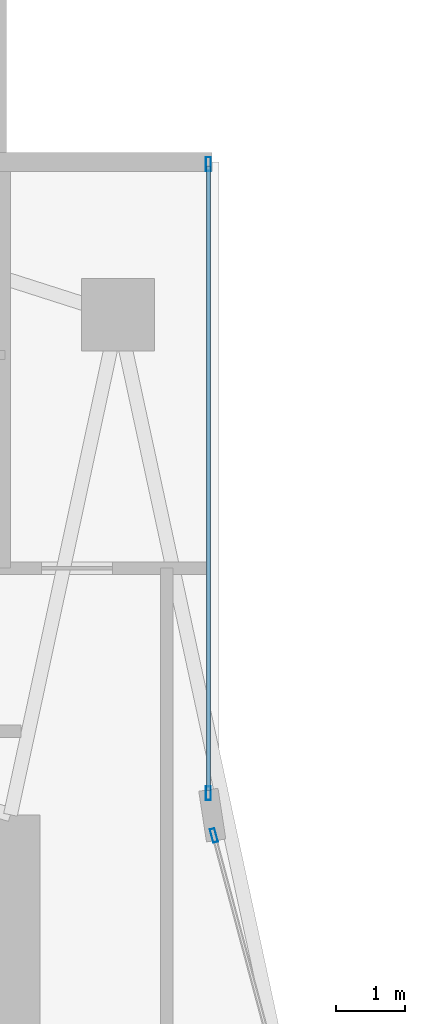
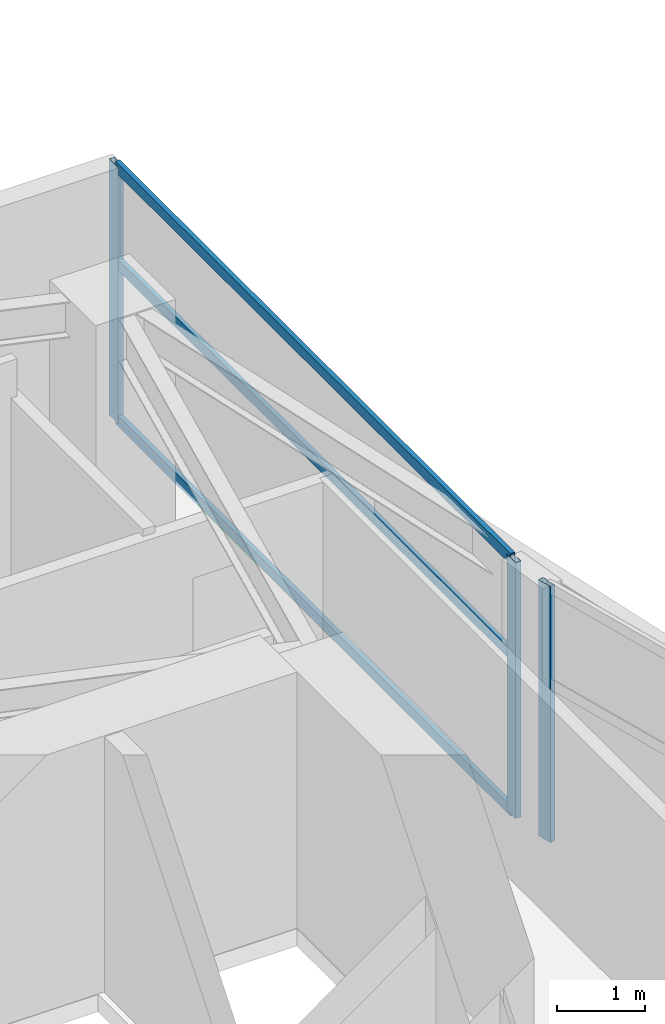
# One storey, part 18 of 29: 6 members, 2 elements without a shape of their own.
"""IFC4 building model written with IfcOpenShell, lengths in metres."""

from ifc_helpers import new_model, si_unit, direction, frame, origin, origin_2d, place, context, subcontext, project, spatial, hollow_rectangle, extrude, material, layer, layer_set, material_profile, profile_set, type_object, element, aggregate, save


model = new_model("IFC4")

# Units and contexts
model_context = context("Model", 3, precision=1e-05, world=origin(), true_north=direction((0.0, 1.0)))
body_context = subcontext(model_context, "Body", "Model", "MODEL_VIEW")
ifc_project = project(units=[si_unit("LENGTHUNIT", "METRE"), si_unit("AREAUNIT", "SQUARE_METRE"), si_unit("VOLUMEUNIT", "CUBIC_METRE"), si_unit("PLANEANGLEUNIT", "RADIAN"), si_unit("MASSUNIT", "GRAM", prefix="KILO")], contexts=[model_context])

# Site, building, storey
site_placement = place(None, origin())
site = spatial("IfcSite", under=ifc_project, at=site_placement, CompositionType="ELEMENT")
building_placement = place(site_placement, origin())
building = spatial("IfcBuilding", under=site, at=building_placement, Name="Calvorn Quay Hotel", CompositionType="ELEMENT")
storey_placement = place(building_placement, frame((0.0, 0.0, 167.5)))
storey = spatial("IfcBuildingStorey", under=building, at=storey_placement, Name="L41", CompositionType="ELEMENT", Elevation=167.5)

# Curtain wall, member
ifc_material_1 = material(Name="Pale Anodised Aluminium and Low-E Glass", Category="aluminium")
ifc_layer = layer(ifc_material_1, 0.219970703125)
ifc_layer_set = layer_set([ifc_layer], Name="CW-SYS-Z2")
curtain_wall_type = type_object("IfcCurtainWallType", Name="CW-SYS-Z2", PredefinedType="NOTDEFINED", material=ifc_layer_set)
curtain_wall_1_placement = place(storey_placement, origin())
curtain_wall_1 = element("IfcCurtainWall", 1, at=curtain_wall_1_placement, inside=storey, type_object=curtain_wall_type, Name="Inner Court Curtain Wall L41-IC1", PredefinedType="NOTDEFINED")
ifc_material_2 = material(Name="Pale Anodised Aluminium 6063-T6", Category="aluminium")
ifc_material_profile_1 = material_profile(ifc_material_2, hollow_rectangle(XDim=0.070068359375, YDim=0.199951171875, WallThickness=0.00390625, at=origin_2d()), Name="ALU-M200x70x4")
ifc_profile_set_1 = profile_set([ifc_material_profile_1], Name="Pale Anodised Aluminium 6063-T6")
member_type_1 = type_object("IfcMemberType", Name="CW-SYS-Z2-MUL", PredefinedType="MULLION", material=ifc_profile_set_1)
member_1_placement = place(storey_placement, frame((17.9296875, 38.10107421875, 0.0), z_axis=(0.0, 0.0, 1.0), x_axis=(-0.96593652056, -0.25877913024, 0.0)))
member_1 = element("IfcMember", 2, at=member_1_placement, type_object=member_type_1, Name="CW-L41-IC1 mullion 2", PredefinedType="MULLION", context=body_context, shape_type="SweptSolid", body=[
    extrude(hollow_rectangle(XDim=0.070068359375, YDim=0.199951171875, WallThickness=0.00390625, at=origin_2d()), origin(), (0.0, 0.0, 1.0), 3.56005859375),
])
aggregate(curtain_wall_1, [member_1])

# Curtain wall, members
curtain_wall_2_placement = place(storey_placement, origin())
curtain_wall_2 = element("IfcCurtainWall", 3, at=curtain_wall_2_placement, inside=storey, type_object=curtain_wall_type, Name="Inner Court Curtain Wall L41-IC2", PredefinedType="NOTDEFINED")
member_2_placement = place(storey_placement, frame((17.85009765625, 38.7099609375, 0.0), z_axis=(0.0, 0.0, 1.0), x_axis=(-1.0, 0.0, 0.0)))
member_2 = element("IfcMember", 4, at=member_2_placement, type_object=member_type_1, Name="CW-L41-IC2 mullion 1", PredefinedType="MULLION", context=body_context, shape_type="SweptSolid", body=[
    extrude(hollow_rectangle(XDim=0.070068359375, YDim=0.199951171875, WallThickness=0.00390625, at=origin_2d()), origin(), (0.0, 0.0, 1.0), 3.56005859375),
])
member_3_placement = place(storey_placement, frame((17.85009765625, 47.77001953125, 0.0), z_axis=(0.0, 0.0, 1.0), x_axis=(-1.0, 0.0, 0.0)))
member_3 = element("IfcMember", 5, at=member_3_placement, type_object=member_type_1, Name="CW-L41-IC2 mullion 2", PredefinedType="MULLION", context=body_context, shape_type="SweptSolid", body=[
    extrude(hollow_rectangle(XDim=0.070068359375, YDim=0.199951171875, WallThickness=0.00390625, at=origin_2d()), origin(), (0.0, 0.0, 1.0), 3.56005859375),
])
ifc_material_3 = material(Name="Pale Anodised Aluminium 6063-T6", Category="aluminium")
ifc_material_profile_2 = material_profile(ifc_material_3, hollow_rectangle(XDim=0.06005859375, YDim=0.14990234375, WallThickness=0.00341796875, at=origin_2d()), Name="ALU-T150x60x3.5")
ifc_profile_set_2 = profile_set([ifc_material_profile_2], Name="Pale Anodised Aluminium 6063-T6")
member_type_2 = type_object("IfcMemberType", Name="CW-SYS-Z2-TRN", PredefinedType="USERDEFINED", material=ifc_profile_set_2)
member_4_placement = place(storey_placement, frame((17.85009765625, 38.739990234375, 0.030029296875), z_axis=(0.0, 1.0, 0.0), x_axis=(-1.0, 0.0, 0.0)))
member_4 = element("IfcMember", 6, at=member_4_placement, type_object=member_type_2, Name="CW-L41-IC2 transom 1.1", ObjectType="TRANSOM", PredefinedType="USERDEFINED", context=body_context, shape_type="SweptSolid", body=[
    extrude(hollow_rectangle(XDim=0.06005859375, YDim=0.14990234375, WallThickness=0.00341796875, at=origin_2d()), origin(), (0.0, 0.0, 1.0), 9.0),
])
member_5_placement = place(storey_placement, frame((17.85009765625, 38.739990234375, 2.199951171875), z_axis=(0.0, 1.0, 0.0), x_axis=(-1.0, 0.0, 0.0)))
member_5 = element("IfcMember", 7, at=member_5_placement, type_object=member_type_2, Name="CW-L41-IC2 transom 1.2", ObjectType="TRANSOM", PredefinedType="USERDEFINED", context=body_context, shape_type="SweptSolid", body=[
    extrude(hollow_rectangle(XDim=0.06005859375, YDim=0.14990234375, WallThickness=0.00341796875, at=origin_2d()), origin(), (0.0, 0.0, 1.0), 9.0),
])
member_6_placement = place(storey_placement, frame((17.85009765625, 38.739990234375, 3.530029296875), z_axis=(0.0, 1.0, 0.0), x_axis=(-1.0, 0.0, 0.0)))
member_6 = element("IfcMember", 8, at=member_6_placement, type_object=member_type_2, Name="CW-L41-IC2 transom 1.3", ObjectType="TRANSOM", PredefinedType="USERDEFINED", context=body_context, shape_type="SweptSolid", body=[
    extrude(hollow_rectangle(XDim=0.06005859375, YDim=0.14990234375, WallThickness=0.00341796875, at=origin_2d()), origin(), (0.0, 0.0, 1.0), 9.0),
])
aggregate(curtain_wall_2, [member_2, member_3, member_4, member_5, member_6])

save(model, "model.ifc")
